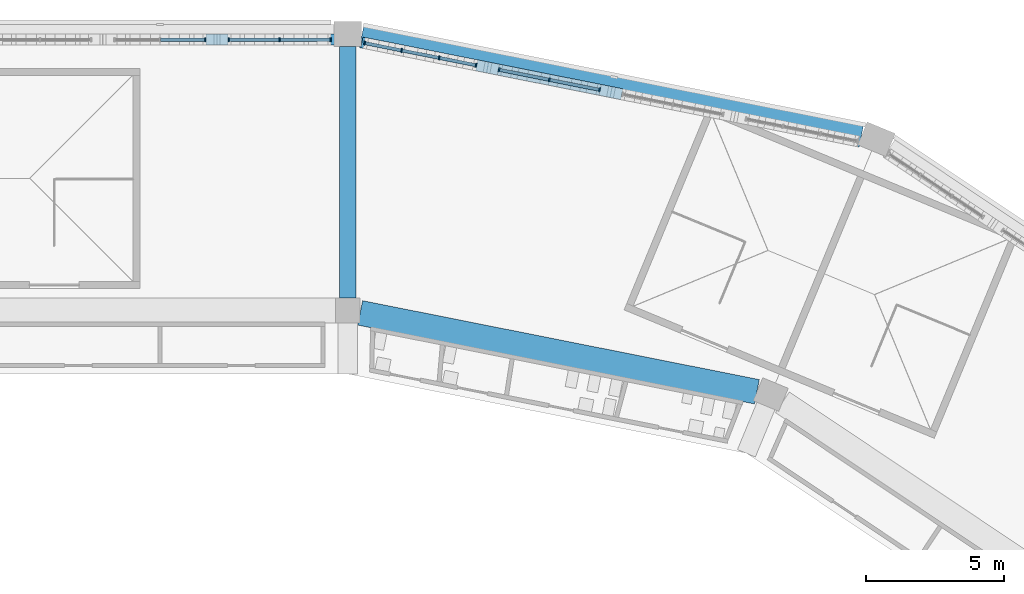
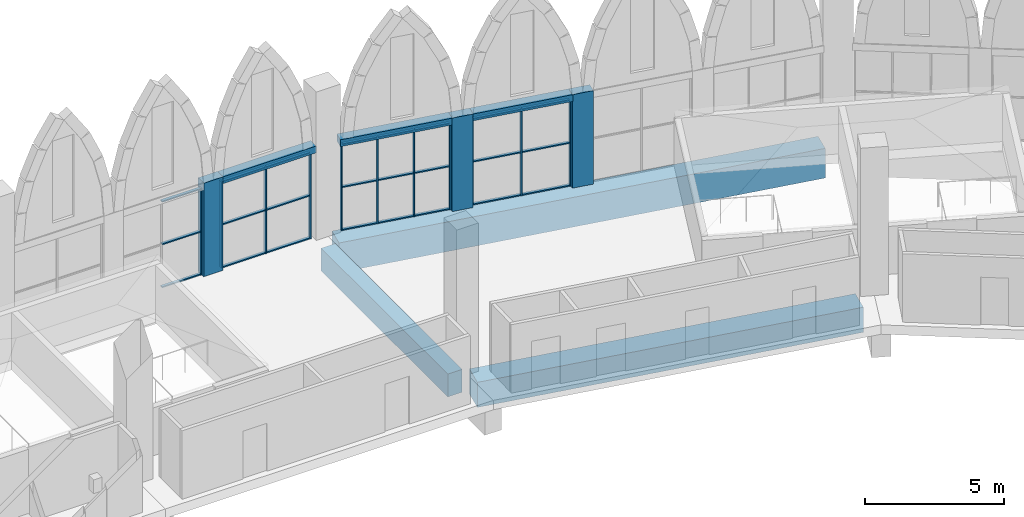
# One storey, part 39 of 130: 38 members, 6 beams, 4 elements without a shape of their own.
"""IFC4 building model written with IfcOpenShell, lengths in metres."""

from ifc_helpers import new_model, si_unit, direction, frame, origin, origin_2d, place, context, subcontext, project, spatial, rectangle, extrude, material, material_profile, profile_set, type_object, element, aggregate, save


model = new_model("IFC4")

# Units and contexts
model_context = context("Model", 3, precision=1e-05, world=origin(), true_north=direction((0.0, 1.0)))
body_context = subcontext(model_context, "Body", "Model", "MODEL_VIEW")
ifc_project = project(units=[si_unit("LENGTHUNIT", "METRE"), si_unit("AREAUNIT", "SQUARE_METRE"), si_unit("VOLUMEUNIT", "CUBIC_METRE"), si_unit("PLANEANGLEUNIT", "RADIAN"), si_unit("MASSUNIT", "GRAM", prefix="KILO")], contexts=[model_context])

# Site, building, storey
site_placement = place(None, origin())
site = spatial("IfcSite", under=ifc_project, at=site_placement, CompositionType="ELEMENT")
building_placement = place(site_placement, origin())
building = spatial("IfcBuilding", under=site, at=building_placement, Name="Ogive Plaza Stadium", CompositionType="ELEMENT")
storey_placement = place(building_placement, frame((0.0, 0.0, 22.5)))
storey = spatial("IfcBuildingStorey", under=building, at=storey_placement, Name="L05", CompositionType="ELEMENT", Elevation=22.5)

# Curtain wall, member
ifc_material_1 = material(Name="Bronze-anodised aluminium with laminated glass", Category="aluminium")
curtain_wall_type = type_object("IfcCurtainWallType", Name="Lancet curtain wall", PredefinedType="NOTDEFINED", material=ifc_material_1)
curtain_wall_1_placement = place(storey_placement, origin())
curtain_wall_1 = element("IfcCurtainWall", 1, at=curtain_wall_1_placement, inside=storey, type_object=curtain_wall_type, Name="CURTAIN WALL B36 L05", PredefinedType="NOTDEFINED")
ifc_material_2 = material(Name="Bronze-anodised aluminium", Category="aluminium")
ifc_material_profile_1 = material_profile(ifc_material_2, rectangle(XDim=0.14990234375, YDim=0.050048828125, at=origin_2d()), Name="AL 150x50")
ifc_profile_set_1 = profile_set([ifc_material_profile_1], Name="Bronze-anodised aluminium")
member_type_1 = type_object("IfcMemberType", Name="Curtain wall mullion 50x150", PredefinedType="MULLION", material=ifc_profile_set_1)
member_1_placement = place(storey_placement, frame((28.841552734375, 102.300048828125, 0.0), z_axis=(0.0, 0.0, 1.0), x_axis=(0.0, 1.0, 0.0)))
member_1 = element("IfcMember", 2, at=member_1_placement, type_object=member_type_1, Name="CW-B36-L05.2 mullion 3", PredefinedType="MULLION", context=body_context, shape_type="SweptSolid", body=[
    extrude(rectangle(XDim=0.14990234375, YDim=0.050048828125, at=origin_2d()), origin(), (0.0, 0.0, 1.0), 3.800048828125),
])

# Curtain wall, members
curtain_wall_2_placement = place(storey_placement, origin())
curtain_wall_2 = element("IfcCurtainWall", 3, at=curtain_wall_2_placement, inside=storey, type_object=curtain_wall_type, Name="CURTAIN WALL B36 L05", PredefinedType="NOTDEFINED")
member_2_placement = place(storey_placement, frame((29.691650390625, 102.300048828125, 0.0), z_axis=(0.0, 0.0, 1.0), x_axis=(0.0, 1.0, 0.0)))
member_2 = element("IfcMember", 4, at=member_2_placement, type_object=member_type_1, Name="CW-B36-L05.3 mullion 1", PredefinedType="MULLION", context=body_context, shape_type="SweptSolid", body=[
    extrude(rectangle(XDim=0.14990234375, YDim=0.050048828125, at=origin_2d()), origin(), (0.0, 0.0, 1.0), 3.800048828125),
])
member_3_placement = place(storey_placement, frame((31.533447265625, 102.300048828125, 0.0), z_axis=(0.0, 0.0, 1.0), x_axis=(0.0, 1.0, 0.0)))
member_3 = element("IfcMember", 5, at=member_3_placement, type_object=member_type_1, Name="CW-B36-L05.3 mullion 2", PredefinedType="MULLION", context=body_context, shape_type="SweptSolid", body=[
    extrude(rectangle(XDim=0.14990234375, YDim=0.050048828125, at=origin_2d()), origin(), (0.0, 0.0, 1.0), 3.800048828125),
])
member_4_placement = place(storey_placement, frame((33.375, 102.300048828125, 0.0), z_axis=(0.0, 0.0, 1.0), x_axis=(0.0, 1.0, 0.0)))
member_4 = element("IfcMember", 6, at=member_4_placement, type_object=member_type_1, Name="CW-B36-L05.3 mullion 3", PredefinedType="MULLION", context=body_context, shape_type="SweptSolid", body=[
    extrude(rectangle(XDim=0.14990234375, YDim=0.050048828125, at=origin_2d()), origin(), (0.0, 0.0, 1.0), 3.800048828125),
])

curtain_wall_3_placement = place(storey_placement, origin())
curtain_wall_3 = element("IfcCurtainWall", 7, at=curtain_wall_3_placement, inside=storey, type_object=curtain_wall_type, Name="CURTAIN WALL B37 L05", PredefinedType="NOTDEFINED")
member_5_placement = place(storey_placement, frame((34.613525390625, 102.174072265625, 0.0), z_axis=(0.0, 0.0, 1.0), x_axis=(0.195090321965, 0.980785280413, 0.0)))
member_5 = element("IfcMember", 8, at=member_5_placement, type_object=member_type_1, Name="CW-B37-L05.1 mullion 1", PredefinedType="MULLION", context=body_context, shape_type="SweptSolid", body=[
    extrude(rectangle(XDim=0.14990234375, YDim=0.050048828125, at=origin_2d()), origin(), (0.0, 0.0, 1.0), 3.800048828125),
])
member_6_placement = place(storey_placement, frame((35.947998046875, 101.90869140625, 0.0), z_axis=(0.0, 0.0, 1.0), x_axis=(0.195090321965, 0.980785280413, 0.0)))
member_6 = element("IfcMember", 9, at=member_6_placement, type_object=member_type_1, Name="CW-B37-L05.1 mullion 2", PredefinedType="MULLION", context=body_context, shape_type="SweptSolid", body=[
    extrude(rectangle(XDim=0.14990234375, YDim=0.050048828125, at=origin_2d()), origin(), (0.0, 0.0, 1.0), 3.800048828125),
])
member_7_placement = place(storey_placement, frame((37.30712890625, 101.63818359375, 0.0), z_axis=(0.0, 0.0, 1.0), x_axis=(0.195090321965, 0.980785280413, 0.0)))
member_7 = element("IfcMember", 10, at=member_7_placement, type_object=member_type_1, Name="CW-B37-L05.1 mullion 3", PredefinedType="MULLION", context=body_context, shape_type="SweptSolid", body=[
    extrude(rectangle(XDim=0.14990234375, YDim=0.050048828125, at=origin_2d()), origin(), (0.0, 0.0, 1.0), 3.800048828125),
])
member_8_placement = place(storey_placement, frame((38.6416015625, 101.372802734375, 0.0), z_axis=(0.0, 0.0, 1.0), x_axis=(0.195090321965, 0.980785280413, 0.0)))
member_8 = element("IfcMember", 11, at=member_8_placement, type_object=member_type_1, Name="CW-B37-L05.1 mullion 4", PredefinedType="MULLION", context=body_context, shape_type="SweptSolid", body=[
    extrude(rectangle(XDim=0.14990234375, YDim=0.050048828125, at=origin_2d()), origin(), (0.0, 0.0, 1.0), 3.800048828125),
])

curtain_wall_4_placement = place(storey_placement, origin())
curtain_wall_4 = element("IfcCurtainWall", 12, at=curtain_wall_4_placement, inside=storey, type_object=curtain_wall_type, Name="CURTAIN WALL B37 L05", PredefinedType="NOTDEFINED")
member_9_placement = place(storey_placement, frame((39.475341796875, 101.20703125, 0.0), z_axis=(0.0, 0.0, 1.0), x_axis=(0.195090321896, 0.980785280427, 0.0)))
member_9 = element("IfcMember", 13, at=member_9_placement, type_object=member_type_1, Name="CW-B37-L05.2 mullion 1", PredefinedType="MULLION", context=body_context, shape_type="SweptSolid", body=[
    extrude(rectangle(XDim=0.14990234375, YDim=0.050048828125, at=origin_2d()), origin(), (0.0, 0.0, 1.0), 3.800048828125),
])
member_10_placement = place(storey_placement, frame((41.293212890625, 100.845458984375, 0.0), z_axis=(0.0, 0.0, 1.0), x_axis=(0.195090321896, 0.980785280427, 0.0)))
member_10 = element("IfcMember", 14, at=member_10_placement, type_object=member_type_1, Name="CW-B37-L05.2 mullion 2", PredefinedType="MULLION", context=body_context, shape_type="SweptSolid", body=[
    extrude(rectangle(XDim=0.14990234375, YDim=0.050048828125, at=origin_2d()), origin(), (0.0, 0.0, 1.0), 3.800048828125),
])
member_11_placement = place(storey_placement, frame((43.111328125, 100.483642578125, 0.0), z_axis=(0.0, 0.0, 1.0), x_axis=(0.195090321896, 0.980785280427, 0.0)))
member_11 = element("IfcMember", 15, at=member_11_placement, type_object=member_type_1, Name="CW-B37-L05.2 mullion 3", PredefinedType="MULLION", context=body_context, shape_type="SweptSolid", body=[
    extrude(rectangle(XDim=0.14990234375, YDim=0.050048828125, at=origin_2d()), origin(), (0.0, 0.0, 1.0), 3.800048828125),
])

# Member
ifc_material_3 = material(Name="Bronze-anodised aluminium", Category="aluminium")
ifc_material_profile_2 = material_profile(ifc_material_3, rectangle(XDim=0.1201171875, YDim=0.050048828125, at=origin_2d()), Name="AL 120x50")
ifc_profile_set_2 = profile_set([ifc_material_profile_2], Name="Bronze-anodised aluminium")
member_type_2 = type_object("IfcMemberType", Name="Curtain wall transom 50x120", PredefinedType="USERDEFINED", material=ifc_profile_set_2)
member_12_placement = place(storey_placement, frame((27.22509765625, 102.300048828125, 0.02490234375), z_axis=(1.0, 0.0, 0.0), x_axis=(0.0, 1.0, 0.0)))
member_12 = element("IfcMember", 16, at=member_12_placement, type_object=member_type_2, Name="CW-B36-L05.2 transom 2.1", ObjectType="TRANSOM", PredefinedType="USERDEFINED", context=body_context, shape_type="SweptSolid", body=[
    extrude(rectangle(XDim=0.1201171875, YDim=0.050048828125, at=origin_2d()), origin(), (0.0, 0.0, 1.0), 1.591552734375),
])

member_13_placement = place(storey_placement, frame((27.22509765625, 102.300048828125, 1.89990234375), z_axis=(1.0, 0.0, 0.0), x_axis=(0.0, 1.0, 0.0)))
member_13 = element("IfcMember", 17, at=member_13_placement, type_object=member_type_2, Name="CW-B36-L05.2 transom 2.2", ObjectType="TRANSOM", PredefinedType="USERDEFINED", context=body_context, shape_type="SweptSolid", body=[
    extrude(rectangle(XDim=0.1201171875, YDim=0.050048828125, at=origin_2d()), origin(), (0.0, 0.0, 1.0), 1.591552734375),
])

member_14_placement = place(storey_placement, frame((27.22509765625, 102.300048828125, 3.77490234375), z_axis=(1.0, 0.0, 0.0), x_axis=(0.0, 1.0, 0.0)))
member_14 = element("IfcMember", 18, at=member_14_placement, type_object=member_type_2, Name="CW-B36-L05.2 transom 2.3", ObjectType="TRANSOM", PredefinedType="USERDEFINED", context=body_context, shape_type="SweptSolid", body=[
    extrude(rectangle(XDim=0.1201171875, YDim=0.050048828125, at=origin_2d()), origin(), (0.0, 0.0, 1.0), 1.591552734375),
])

aggregate(curtain_wall_1, [member_1, member_12, member_13, member_14])

member_15_placement = place(storey_placement, frame((29.716552734375, 102.300048828125, 0.02490234375), z_axis=(1.0, 0.0, 0.0), x_axis=(0.0, 1.0, 0.0)))
member_15 = element("IfcMember", 19, at=member_15_placement, type_object=member_type_2, Name="CW-B36-L05.3 transom 1.1", ObjectType="TRANSOM", PredefinedType="USERDEFINED", context=body_context, shape_type="SweptSolid", body=[
    extrude(rectangle(XDim=0.1201171875, YDim=0.050048828125, at=origin_2d()), origin(), (0.0, 0.0, 1.0), 1.791748046875),
])

member_16_placement = place(storey_placement, frame((29.716552734375, 102.300048828125, 1.89990234375), z_axis=(1.0, 0.0, 0.0), x_axis=(0.0, 1.0, 0.0)))
member_16 = element("IfcMember", 20, at=member_16_placement, type_object=member_type_2, Name="CW-B36-L05.3 transom 1.2", ObjectType="TRANSOM", PredefinedType="USERDEFINED", context=body_context, shape_type="SweptSolid", body=[
    extrude(rectangle(XDim=0.1201171875, YDim=0.050048828125, at=origin_2d()), origin(), (0.0, 0.0, 1.0), 1.791748046875),
])

member_17_placement = place(storey_placement, frame((29.716552734375, 102.300048828125, 3.77490234375), z_axis=(1.0, 0.0, 0.0), x_axis=(0.0, 1.0, 0.0)))
member_17 = element("IfcMember", 21, at=member_17_placement, type_object=member_type_2, Name="CW-B36-L05.3 transom 1.3", ObjectType="TRANSOM", PredefinedType="USERDEFINED", context=body_context, shape_type="SweptSolid", body=[
    extrude(rectangle(XDim=0.1201171875, YDim=0.050048828125, at=origin_2d()), origin(), (0.0, 0.0, 1.0), 1.791748046875),
])

member_18_placement = place(storey_placement, frame((31.558349609375, 102.300048828125, 0.02490234375), z_axis=(1.0, 0.0, 0.0), x_axis=(0.0, 1.0, 0.0)))
member_18 = element("IfcMember", 22, at=member_18_placement, type_object=member_type_2, Name="CW-B36-L05.3 transom 2.1", ObjectType="TRANSOM", PredefinedType="USERDEFINED", context=body_context, shape_type="SweptSolid", body=[
    extrude(rectangle(XDim=0.1201171875, YDim=0.050048828125, at=origin_2d()), origin(), (0.0, 0.0, 1.0), 1.791748046875),
])

member_19_placement = place(storey_placement, frame((31.558349609375, 102.300048828125, 1.89990234375), z_axis=(1.0, 0.0, 0.0), x_axis=(0.0, 1.0, 0.0)))
member_19 = element("IfcMember", 23, at=member_19_placement, type_object=member_type_2, Name="CW-B36-L05.3 transom 2.2", ObjectType="TRANSOM", PredefinedType="USERDEFINED", context=body_context, shape_type="SweptSolid", body=[
    extrude(rectangle(XDim=0.1201171875, YDim=0.050048828125, at=origin_2d()), origin(), (0.0, 0.0, 1.0), 1.791748046875),
])

member_20_placement = place(storey_placement, frame((31.558349609375, 102.300048828125, 3.77490234375), z_axis=(1.0, 0.0, 0.0), x_axis=(0.0, 1.0, 0.0)))
member_20 = element("IfcMember", 24, at=member_20_placement, type_object=member_type_2, Name="CW-B36-L05.3 transom 2.3", ObjectType="TRANSOM", PredefinedType="USERDEFINED", context=body_context, shape_type="SweptSolid", body=[
    extrude(rectangle(XDim=0.1201171875, YDim=0.050048828125, at=origin_2d()), origin(), (0.0, 0.0, 1.0), 1.791748046875),
])

aggregate(curtain_wall_2, [member_2, member_3, member_4, member_15, member_16, member_17, member_18, member_19, member_20])

member_21_placement = place(storey_placement, frame((34.637939453125, 102.169189453125, 0.02490234375), z_axis=(0.980802116532, -0.195005661984, 0.0), x_axis=(0.195005661984, 0.980802116532, 0.0)))
member_21 = element("IfcMember", 25, at=member_21_placement, type_object=member_type_2, Name="CW-B37-L05.1 transom 1.1", ObjectType="TRANSOM", PredefinedType="USERDEFINED", context=body_context, shape_type="SweptSolid", body=[
    extrude(rectangle(XDim=0.1201171875, YDim=0.050048828125, at=origin_2d()), origin(), (0.0, 0.0, 1.0), 1.310791015625),
])

member_22_placement = place(storey_placement, frame((34.637939453125, 102.169189453125, 1.89990234375), z_axis=(0.980802116532, -0.195005661984, 0.0), x_axis=(0.195005661984, 0.980802116532, 0.0)))
member_22 = element("IfcMember", 26, at=member_22_placement, type_object=member_type_2, Name="CW-B37-L05.1 transom 1.2", ObjectType="TRANSOM", PredefinedType="USERDEFINED", context=body_context, shape_type="SweptSolid", body=[
    extrude(rectangle(XDim=0.1201171875, YDim=0.050048828125, at=origin_2d()), origin(), (0.0, 0.0, 1.0), 1.310791015625),
])

member_23_placement = place(storey_placement, frame((34.637939453125, 102.169189453125, 3.77490234375), z_axis=(0.980802116532, -0.195005661984, 0.0), x_axis=(0.195005661984, 0.980802116532, 0.0)))
member_23 = element("IfcMember", 27, at=member_23_placement, type_object=member_type_2, Name="CW-B37-L05.1 transom 1.3", ObjectType="TRANSOM", PredefinedType="USERDEFINED", context=body_context, shape_type="SweptSolid", body=[
    extrude(rectangle(XDim=0.1201171875, YDim=0.050048828125, at=origin_2d()), origin(), (0.0, 0.0, 1.0), 1.310791015625),
])

member_24_placement = place(storey_placement, frame((35.97265625, 101.90380859375, 0.02490234375), z_axis=(0.980763023423, -0.195202182075, 0.0), x_axis=(0.195202182075, 0.980763023423, 0.0)))
member_24 = element("IfcMember", 28, at=member_24_placement, type_object=member_type_2, Name="CW-B37-L05.1 transom 2.1", ObjectType="TRANSOM", PredefinedType="USERDEFINED", context=body_context, shape_type="SweptSolid", body=[
    extrude(rectangle(XDim=0.1201171875, YDim=0.050048828125, at=origin_2d()), origin(), (0.0, 0.0, 1.0), 1.335693359375),
])

member_25_placement = place(storey_placement, frame((35.97265625, 101.90380859375, 1.89990234375), z_axis=(0.980763023423, -0.195202182075, 0.0), x_axis=(0.195202182075, 0.980763023423, 0.0)))
member_25 = element("IfcMember", 29, at=member_25_placement, type_object=member_type_2, Name="CW-B37-L05.1 transom 2.2", ObjectType="TRANSOM", PredefinedType="USERDEFINED", context=body_context, shape_type="SweptSolid", body=[
    extrude(rectangle(XDim=0.1201171875, YDim=0.050048828125, at=origin_2d()), origin(), (0.0, 0.0, 1.0), 1.335693359375),
])

member_26_placement = place(storey_placement, frame((35.97265625, 101.90380859375, 3.77490234375), z_axis=(0.980763023423, -0.195202182075, 0.0), x_axis=(0.195202182075, 0.980763023423, 0.0)))
member_26 = element("IfcMember", 30, at=member_26_placement, type_object=member_type_2, Name="CW-B37-L05.1 transom 2.3", ObjectType="TRANSOM", PredefinedType="USERDEFINED", context=body_context, shape_type="SweptSolid", body=[
    extrude(rectangle(XDim=0.1201171875, YDim=0.050048828125, at=origin_2d()), origin(), (0.0, 0.0, 1.0), 1.335693359375),
])

member_27_placement = place(storey_placement, frame((37.331787109375, 101.63330078125, 0.02490234375), z_axis=(0.980795031954, -0.195041291255, 0.0), x_axis=(0.195041291255, 0.980795031954, 0.0)))
member_27 = element("IfcMember", 31, at=member_27_placement, type_object=member_type_2, Name="CW-B37-L05.1 transom 3.1", ObjectType="TRANSOM", PredefinedType="USERDEFINED", context=body_context, shape_type="SweptSolid", body=[
    extrude(rectangle(XDim=0.1201171875, YDim=0.050048828125, at=origin_2d()), origin(), (0.0, 0.0, 1.0), 1.310546875),
])

member_28_placement = place(storey_placement, frame((37.331787109375, 101.63330078125, 1.89990234375), z_axis=(0.980795031954, -0.195041291255, 0.0), x_axis=(0.195041291255, 0.980795031954, 0.0)))
member_28 = element("IfcMember", 32, at=member_28_placement, type_object=member_type_2, Name="CW-B37-L05.1 transom 3.2", ObjectType="TRANSOM", PredefinedType="USERDEFINED", context=body_context, shape_type="SweptSolid", body=[
    extrude(rectangle(XDim=0.1201171875, YDim=0.050048828125, at=origin_2d()), origin(), (0.0, 0.0, 1.0), 1.310546875),
])

member_29_placement = place(storey_placement, frame((37.331787109375, 101.63330078125, 3.77490234375), z_axis=(0.980795031954, -0.195041291255, 0.0), x_axis=(0.195041291255, 0.980795031954, 0.0)))
member_29 = element("IfcMember", 33, at=member_29_placement, type_object=member_type_2, Name="CW-B37-L05.1 transom 3.3", ObjectType="TRANSOM", PredefinedType="USERDEFINED", context=body_context, shape_type="SweptSolid", body=[
    extrude(rectangle(XDim=0.1201171875, YDim=0.050048828125, at=origin_2d()), origin(), (0.0, 0.0, 1.0), 1.310546875),
])

aggregate(curtain_wall_3, [member_5, member_6, member_7, member_8, member_21, member_22, member_23, member_24, member_25, member_26, member_27, member_28, member_29])

member_30_placement = place(storey_placement, frame((39.5, 101.2021484375, 0.02490234375), z_axis=(0.980788391247, -0.195074682096, 0.0), x_axis=(0.195074682096, 0.980788391247, 0.0)))
member_30 = element("IfcMember", 34, at=member_30_placement, type_object=member_type_2, Name="CW-B37-L05.2 transom 1.1", ObjectType="TRANSOM", PredefinedType="USERDEFINED", context=body_context, shape_type="SweptSolid", body=[
    extrude(rectangle(XDim=0.1201171875, YDim=0.050048828125, at=origin_2d()), origin(), (0.0, 0.0, 1.0), 1.803466796875),
])

member_31_placement = place(storey_placement, frame((39.5, 101.2021484375, 1.89990234375), z_axis=(0.980788391247, -0.195074682096, 0.0), x_axis=(0.195074682096, 0.980788391247, 0.0)))
member_31 = element("IfcMember", 35, at=member_31_placement, type_object=member_type_2, Name="CW-B37-L05.2 transom 1.2", ObjectType="TRANSOM", PredefinedType="USERDEFINED", context=body_context, shape_type="SweptSolid", body=[
    extrude(rectangle(XDim=0.1201171875, YDim=0.050048828125, at=origin_2d()), origin(), (0.0, 0.0, 1.0), 1.803466796875),
])

member_32_placement = place(storey_placement, frame((39.5, 101.2021484375, 3.77490234375), z_axis=(0.980788391247, -0.195074682096, 0.0), x_axis=(0.195074682096, 0.980788391247, 0.0)))
member_32 = element("IfcMember", 36, at=member_32_placement, type_object=member_type_2, Name="CW-B37-L05.2 transom 1.3", ObjectType="TRANSOM", PredefinedType="USERDEFINED", context=body_context, shape_type="SweptSolid", body=[
    extrude(rectangle(XDim=0.1201171875, YDim=0.050048828125, at=origin_2d()), origin(), (0.0, 0.0, 1.0), 1.803466796875),
])

member_33_placement = place(storey_placement, frame((41.31787109375, 100.840576171875, 0.02490234375), z_axis=(0.980762482488, -0.195204899896, 0.0), x_axis=(0.195204899896, 0.980762482488, 0.0)))
member_33 = element("IfcMember", 37, at=member_33_placement, type_object=member_type_2, Name="CW-B37-L05.2 transom 2.1", ObjectType="TRANSOM", PredefinedType="USERDEFINED", context=body_context, shape_type="SweptSolid", body=[
    extrude(rectangle(XDim=0.1201171875, YDim=0.050048828125, at=origin_2d()), origin(), (0.0, 0.0, 1.0), 1.803466796875),
])

member_34_placement = place(storey_placement, frame((41.31787109375, 100.840576171875, 1.89990234375), z_axis=(0.980762482488, -0.195204899896, 0.0), x_axis=(0.195204899896, 0.980762482488, 0.0)))
member_34 = element("IfcMember", 38, at=member_34_placement, type_object=member_type_2, Name="CW-B37-L05.2 transom 2.2", ObjectType="TRANSOM", PredefinedType="USERDEFINED", context=body_context, shape_type="SweptSolid", body=[
    extrude(rectangle(XDim=0.1201171875, YDim=0.050048828125, at=origin_2d()), origin(), (0.0, 0.0, 1.0), 1.803466796875),
])

member_35_placement = place(storey_placement, frame((41.31787109375, 100.840576171875, 3.77490234375), z_axis=(0.980762482488, -0.195204899896, 0.0), x_axis=(0.195204899896, 0.980762482488, 0.0)))
member_35 = element("IfcMember", 39, at=member_35_placement, type_object=member_type_2, Name="CW-B37-L05.2 transom 2.3", ObjectType="TRANSOM", PredefinedType="USERDEFINED", context=body_context, shape_type="SweptSolid", body=[
    extrude(rectangle(XDim=0.1201171875, YDim=0.050048828125, at=origin_2d()), origin(), (0.0, 0.0, 1.0), 1.803466796875),
])

aggregate(curtain_wall_4, [member_9, member_10, member_11, member_30, member_31, member_32, member_33, member_34, member_35])

# Members
ifc_material_4 = material(Name="Concrete C45/55 precast", Category="concrete")
ifc_material_profile_3 = material_profile(ifc_material_4, rectangle(XDim=0.39990234375, YDim=0.800048828125, at=origin_2d()), Name="RC 400x800")
ifc_profile_set_3 = profile_set([ifc_material_profile_3], Name="Concrete C45/55 precast")
member_type_3 = type_object("IfcMemberType", Name="Precast colonette 800x400", PredefinedType="POST", material=ifc_profile_set_3)
for number, where, z_axis, x_axis, name in (
    (40, (29.2666015625, 102.300048828125, 0.0), (0.0, 0.0, 1.0), (0.0, 1.0, 0.0), "COLONETTE B36 2"),
    (41, (39.05859375, 101.289794921875, 0.0), (0.0, 0.0, 1.0), (0.195090322016, 0.980785280403, 0.0), "COLONETTE B37 1"),
    (42, (43.528076171875, 100.40087890625, 0.0), (0.0, 0.0, 1.0), (0.195090322016, 0.980785280403, 0.0), "COLONETTE B37 2"),
):
    element("IfcMember", number, at=place(storey_placement, frame(where, z_axis=z_axis, x_axis=x_axis)), inside=storey, type_object=member_type_3, Name=name, PredefinedType="POST", context=body_context, shape_type="SweptSolid", body=[
        extrude(rectangle(XDim=0.39990234375, YDim=0.800048828125, at=origin_2d()), origin(), (0.0, 0.0, 1.0), 4.10009765625),
    ])

# Beams
ifc_material_5 = material(Name="Concrete C45/55 precast", Category="concrete")
ifc_material_profile_4 = material_profile(ifc_material_5, rectangle(XDim=0.39990234375, YDim=0.300048828125, at=origin_2d()), Name="RC 400x300")
ifc_profile_set_4 = profile_set([ifc_material_profile_4], Name="Concrete C45/55 precast")
beam_type_1 = type_object("IfcBeamType", Name="Precast tympanum lintel 400x300", PredefinedType="BEAM", material=ifc_profile_set_4)
beam_1_placement = place(storey_placement, frame((29.63671875, 102.300048828125, 3.949951171875), z_axis=(1.0, 0.0, 0.0), x_axis=(0.0, 1.0, 0.0)))
element("IfcBeam", 43, at=beam_1_placement, inside=storey, type_object=beam_type_1, Name="TYMPANUM LINTEL B36 3", PredefinedType="BEAM", context=body_context, shape_type="SweptSolid", body=[
    extrude(rectangle(XDim=0.39990234375, YDim=0.300048828125, at=origin_2d()), origin(), (0.0, 0.0, 1.0), 3.893310546875),
])
beam_2_placement = place(storey_placement, frame((34.509521484375, 102.19482421875, 3.949951171875), z_axis=(0.980780370693, -0.195115003175, 0.0), x_axis=(0.195115003175, 0.980780370693, 0.0)))
element("IfcBeam", 44, at=beam_2_placement, inside=storey, type_object=beam_type_1, Name="TYMPANUM LINTEL B37 1", PredefinedType="BEAM", context=body_context, shape_type="SweptSolid", body=[
    extrude(rectangle(XDim=0.39990234375, YDim=0.300048828125, at=origin_2d()), origin(), (0.0, 0.0, 1.0), 4.26806640625),
])
beam_3_placement = place(storey_placement, frame((39.42138671875, 101.2177734375, 3.949951171875), z_axis=(0.980776972067, -0.195132086194, 0.0), x_axis=(0.195132086194, 0.980776972067, 0.0)))
element("IfcBeam", 45, at=beam_3_placement, inside=storey, type_object=beam_type_1, Name="TYMPANUM LINTEL B37 2", PredefinedType="BEAM", context=body_context, shape_type="SweptSolid", body=[
    extrude(rectangle(XDim=0.39990234375, YDim=0.300048828125, at=origin_2d()), origin(), (0.0, 0.0, 1.0), 3.8173828125),
])
ifc_material_6 = material(Name="Concrete C40/50", Category="concrete")
ifc_material_profile_5 = material_profile(ifc_material_6, rectangle(XDim=0.60009765625, YDim=1.0, at=origin_2d()), Name="RC 600x1000")
ifc_profile_set_5 = profile_set([ifc_material_profile_5], Name="Concrete C40/50")
beam_type_2 = type_object("IfcBeamType", Name="RC radial beam 600x1000", PredefinedType="BEAM", material=ifc_profile_set_5)
beam_4_placement = place(storey_placement, frame((34.0, 92.949951171875, -0.909912109375), z_axis=(0.0, 1.0, 0.0), x_axis=(-1.0, 0.0, 0.0)))
element("IfcBeam", 46, at=beam_4_placement, inside=storey, type_object=beam_type_2, Name="Radial beam L05 R37 F4F5", PredefinedType="BEAM", context=body_context, shape_type="SweptSolid", body=[
    extrude(rectangle(XDim=0.60009765625, YDim=1.0, at=origin_2d()), origin(), (0.0, 0.0, 1.0), 9.10009765625),
])
ifc_material_7 = material(Name="Concrete C40/50", Category="concrete")
ifc_material_profile_6 = material_profile(ifc_material_7, rectangle(XDim=0.89990234375, YDim=1.10009765625, at=origin_2d()), Name="RC 900x1100")
ifc_profile_set_6 = profile_set([ifc_material_profile_6], Name="Concrete C40/50")
beam_type_3 = type_object("IfcBeamType", Name="RC ring beam 900x1100", PredefinedType="BEAM", material=ifc_profile_set_6)
beam_5_placement = place(storey_placement, frame((34.449951171875, 92.410400390625, -0.9599609375), z_axis=(0.980787317906, -0.195080078519, 0.0), x_axis=(0.195080078519, 0.980787317906, 0.0)))
element("IfcBeam", 47, at=beam_5_placement, inside=storey, type_object=beam_type_3, Name="Ring beam F4 L05 B37", PredefinedType="BEAM", context=body_context, shape_type="SweptSolid", body=[
    extrude(rectangle(XDim=0.89990234375, YDim=1.10009765625, at=origin_2d()), origin(), (0.0, 0.0, 1.0), 14.638671875),
])
ifc_material_8 = material(Name="Concrete C40/50", Category="concrete")
ifc_material_profile_7 = material_profile(ifc_material_8, rectangle(XDim=0.800048828125, YDim=1.300048828125, at=origin_2d()), Name="RC 800x1300")
ifc_profile_set_7 = profile_set([ifc_material_profile_7], Name="Concrete C40/50")
beam_type_4 = type_object("IfcBeamType", Name="RC spandrel beam 800x1300", PredefinedType="SPANDREL", material=ifc_profile_set_7)
beam_6_placement = place(storey_placement, frame((34.5, 102.400634765625, -1.06005859375), z_axis=(0.980785371075, -0.195089866178, 0.0), x_axis=(0.195089866178, 0.980785371075, 0.0)))
element("IfcBeam", 48, at=beam_6_placement, inside=storey, type_object=beam_type_4, Name="Ring beam F5 L05 B37", PredefinedType="SPANDREL", context=body_context, shape_type="SweptSolid", body=[
    extrude(rectangle(XDim=0.800048828125, YDim=1.300048828125, at=origin_2d()), origin(), (0.0, 0.0, 1.0), 18.4384765625),
])

save(model, "model.ifc")
